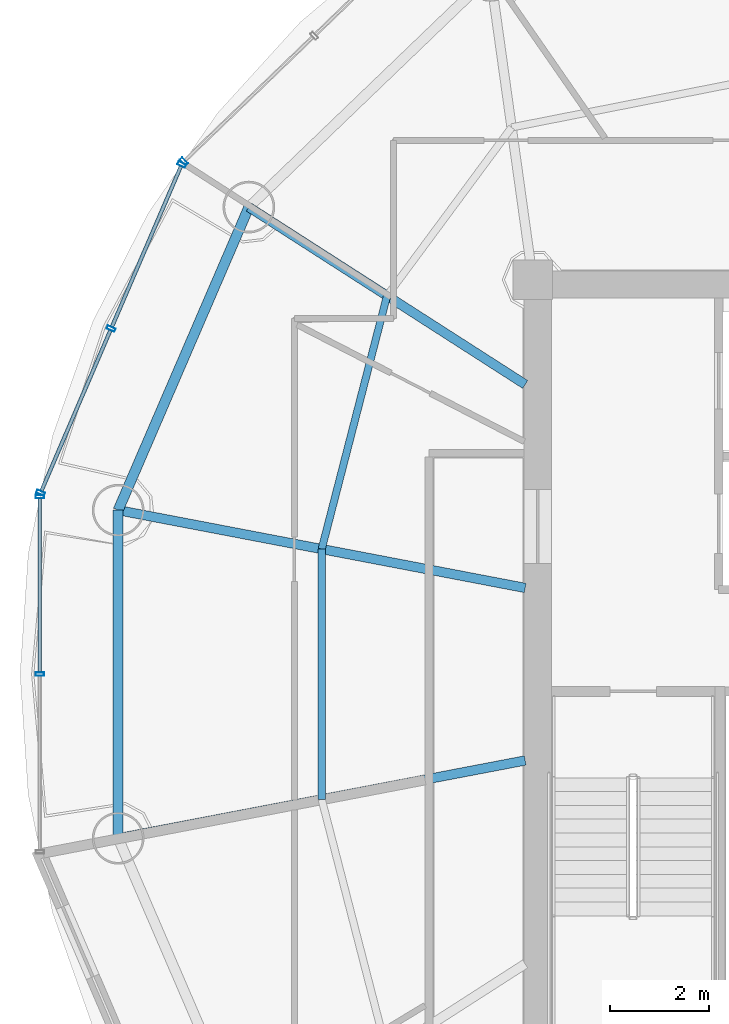
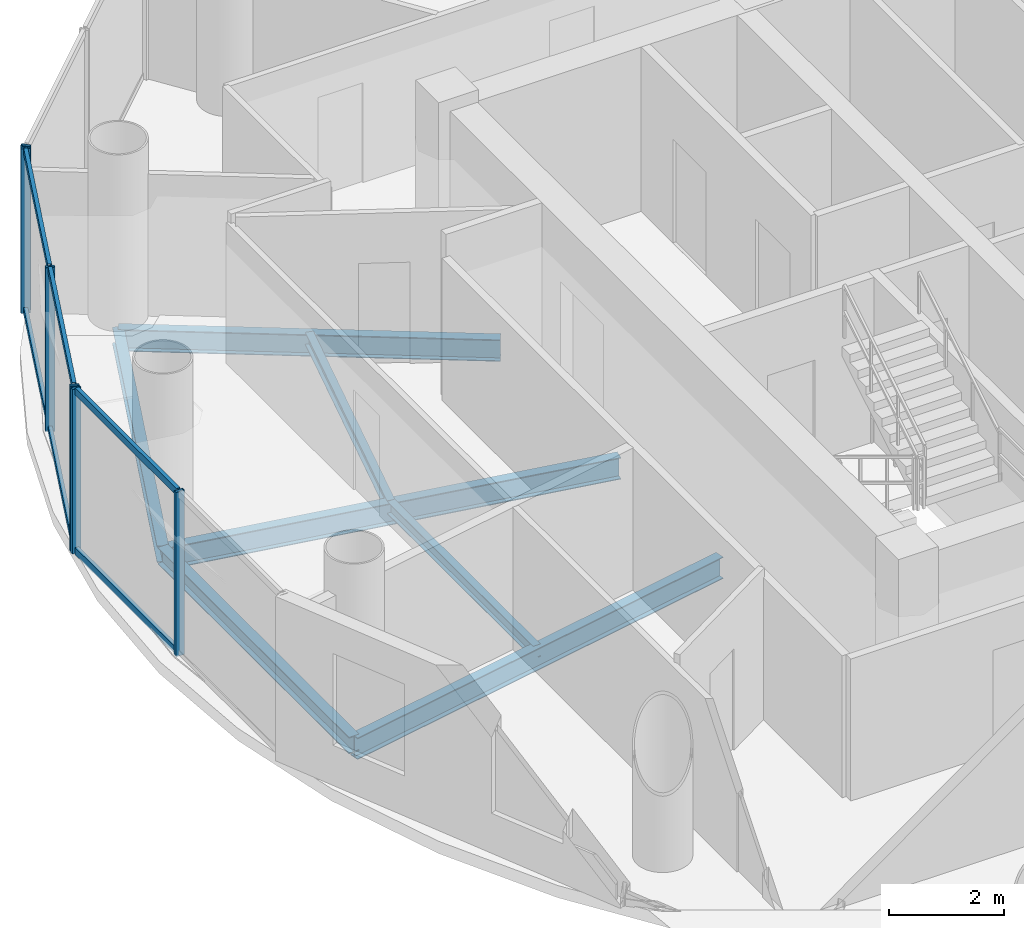
# One storey, part 8 of 23: 12 members, 7 beams, 3 elements without a shape of their own.
"""IFC4 building model written with IfcOpenShell, lengths in metres."""

from ifc_helpers import new_model, si_unit, direction, frame, origin, origin_2d, place, context, subcontext, project, spatial, hollow_rectangle, i_section, extrude, source, transform, mapped, material, material_profile, profile_set, type_object, element, aggregate, save


model = new_model("IFC4")

# Units and contexts
model_context = context("Model", 3, precision=1e-05, world=origin(), true_north=direction((-0.2419218956, 0.970295726276)))
body_context = subcontext(model_context, "Body", "Model", "MODEL_VIEW")
ifc_project = project(units=[si_unit("LENGTHUNIT", "METRE"), si_unit("AREAUNIT", "SQUARE_METRE"), si_unit("VOLUMEUNIT", "CUBIC_METRE"), si_unit("PLANEANGLEUNIT", "RADIAN"), si_unit("MASSUNIT", "GRAM", prefix="KILO")], contexts=[model_context])

# Site, building, storey
site_placement = place(None, origin())
site = spatial("IfcSite", under=ifc_project, at=site_placement, CompositionType="ELEMENT")
building_placement = place(site_placement, origin())
building = spatial("IfcBuilding", under=site, at=building_placement, Name="Cobrevalo Terracotta Tower", CompositionType="ELEMENT")
storey_placement = place(building_placement, frame((0.0, 0.0, 251.949951171875)))
storey = spatial("IfcBuildingStorey", under=building, at=storey_placement, Name="L66", CompositionType="ELEMENT", Elevation=251.949951171875)

# Beams
ifc_material_1 = material(Name="Steel S355", Category="steel")
ifc_material_profile_1 = material_profile(ifc_material_1, i_section(OverallWidth=0.19091796875, OverallDepth=0.4599609375, WebThickness=0.010009765625, FlangeThickness=0.01611328125, at=origin_2d()), Name="W 460x82")
ifc_profile_set_1 = profile_set([ifc_material_profile_1], Name="Steel S355")
beam_type_1 = type_object("IfcBeamType", Name="Structural Beam W 460x82 (Steel S355)", PredefinedType="BEAM", material=ifc_profile_set_1)
beam_1_placement = place(storey_placement, frame((23.241455078125, 36.2724609375, -0.489990234375), z_axis=(0.84157615512, -0.540138477739, 0.0), x_axis=(0.540138477739, 0.84157615512, 0.0)))
element("IfcBeam", 1, at=beam_1_placement, inside=storey, type_object=beam_type_1, Name="L66 radial floor girder 07", PredefinedType="BEAM", context=body_context, shape_type="SweptSolid", body=[
    extrude(i_section(OverallWidth=0.19091796875, OverallDepth=0.4599609375, WebThickness=0.010009765625, FlangeThickness=0.01611328125, at=origin_2d()), origin(), (0.0, 0.0, 1.0), 6.658447265625),
])
beam_2_placement = place(storey_placement, frame((20.591064453125, 30.126220703125, -0.489990234375), z_axis=(0.982234917636, -0.187655446433, 0.0), x_axis=(0.187655446433, 0.982234917636, 0.0)))
element("IfcBeam", 2, at=beam_2_placement, inside=storey, type_object=beam_type_1, Name="L66 radial floor girder 08", PredefinedType="BEAM", context=body_context, shape_type="SweptSolid", body=[
    extrude(i_section(OverallWidth=0.19091796875, OverallDepth=0.4599609375, WebThickness=0.010009765625, FlangeThickness=0.01611328125, at=origin_2d()), origin(), (0.0, 0.0, 1.0), 8.403076171875),
])
beam_3_placement = place(storey_placement, frame((20.591064453125, 23.4736328125, -0.489990234375), z_axis=(0.982229562106, 0.187683476432, 0.0), x_axis=(-0.187683476432, 0.982229562106, 0.0)))
element("IfcBeam", 3, at=beam_3_placement, inside=storey, type_object=beam_type_1, Name="L66 radial floor girder 09", PredefinedType="BEAM", context=body_context, shape_type="SweptSolid", body=[
    extrude(i_section(OverallWidth=0.19091796875, OverallDepth=0.4599609375, WebThickness=0.010009765625, FlangeThickness=0.01611328125, at=origin_2d()), origin(), (0.0, 0.0, 1.0), 8.4033203125),
])
ifc_material_profile_2 = material_profile(ifc_material_1, i_section(OverallWidth=0.14794921875, OverallDepth=0.26611328125, WebThickness=0.007568359375, FlangeThickness=0.012939453125, at=origin_2d()), Name="W 250x44.8")
ifc_profile_set_2 = profile_set([ifc_material_profile_2], Name="Steel S355")
beam_type_2 = type_object("IfcBeamType", Name="Structural Joist W 250x44.8 (Steel S355)", PredefinedType="JOIST", material=ifc_profile_set_2)
beam_4_placement = place(storey_placement, frame((26.043212890625, 34.47412109375, -0.39306640625), z_axis=(-0.249816773293, -0.968293126993, 0.0), x_axis=(0.968293126993, -0.249816773293, 0.0)))
element("IfcBeam", 4, at=beam_4_placement, inside=storey, type_object=beam_type_2, Name="L66 circumferential secondary floor joist 07", PredefinedType="JOIST", context=body_context, shape_type="SweptSolid", body=[
    extrude(i_section(OverallWidth=0.14794921875, OverallDepth=0.26611328125, WebThickness=0.007568359375, FlangeThickness=0.012939453125, at=origin_2d()), origin(), (0.0, 0.0, 1.0), 5.3046875),
])
beam_5_placement = place(storey_placement, frame((24.718017578125, 29.337646484375, -0.39306640625), z_axis=(0.0, -1.0, 0.0), x_axis=(1.0, 0.0, 0.0)))
element("IfcBeam", 5, at=beam_5_placement, inside=storey, type_object=beam_type_2, Name="L66 circumferential secondary floor joist 08", PredefinedType="JOIST", context=body_context, shape_type="SweptSolid", body=[
    extrude(i_section(OverallWidth=0.14794921875, OverallDepth=0.26611328125, WebThickness=0.007568359375, FlangeThickness=0.012939453125, at=origin_2d()), origin(), (0.0, 0.0, 1.0), 5.075439453125),
])
ifc_material_profile_3 = material_profile(ifc_material_1, i_section(OverallWidth=0.205078125, OverallDepth=0.35400390625, WebThickness=0.009521484375, FlangeThickness=0.016845703125, at=origin_2d()), Name="W 360x79")
ifc_profile_set_3 = profile_set([ifc_material_profile_3], Name="Steel S355")
beam_type_3 = type_object("IfcBeamType", Name="Structural Spandrel W 360x79 (Steel S355)", PredefinedType="SPANDREL", material=ifc_profile_set_3)
beam_6_placement = place(storey_placement, frame((23.241455078125, 36.2724609375, -0.43701171875), z_axis=(-0.395974127655, -0.918261667624, 0.0), x_axis=(0.918261667624, -0.395974127655, 0.0)))
element("IfcBeam", 6, at=beam_6_placement, inside=storey, type_object=beam_type_3, Name="L66 perimeter ring spandrel 07", PredefinedType="SPANDREL", context=body_context, shape_type="SweptSolid", body=[
    extrude(i_section(OverallWidth=0.205078125, OverallDepth=0.35400390625, WebThickness=0.009521484375, FlangeThickness=0.016845703125, at=origin_2d()), origin(), (0.0, 0.0, 1.0), 6.693359375),
])
beam_7_placement = place(storey_placement, frame((20.591064453125, 30.126220703125, -0.43701171875), z_axis=(0.0, -1.0, 0.0), x_axis=(1.0, 0.0, 0.0)))
element("IfcBeam", 7, at=beam_7_placement, inside=storey, type_object=beam_type_3, Name="L66 perimeter ring spandrel 08", PredefinedType="SPANDREL", context=body_context, shape_type="SweptSolid", body=[
    extrude(i_section(OverallWidth=0.205078125, OverallDepth=0.35400390625, WebThickness=0.009521484375, FlangeThickness=0.016845703125, at=origin_2d()), origin(), (0.0, 0.0, 1.0), 6.652587890625),
])

# Curtain wall, member
ifc_material_2 = material(Name="Anodized aluminium", Category="aluminium")
curtain_wall_type = type_object("IfcCurtainWallType", Name="Upper-tower triple-glazed penthouse curtain wall CW-U3", PredefinedType="NOTDEFINED", material=ifc_material_2)
curtain_wall_1_placement = place(storey_placement, origin())
curtain_wall_1 = element("IfcCurtainWall", 8, at=curtain_wall_1_placement, inside=storey, type_object=curtain_wall_type, Name="L66 curtain wall CW-L66-S06", PredefinedType="NOTDEFINED")
ifc_material_profile_4 = material_profile(ifc_material_2, hollow_rectangle(XDim=0.070068359375, YDim=0.169921875, WallThickness=0.00439453125, at=origin_2d()), Name="CWM 70x170")
ifc_profile_set_4 = profile_set([ifc_material_profile_4], Name="Anodized aluminium")
member_type_1 = type_object("IfcMemberType", Name="Upper tower unitised mullion 70x170", PredefinedType="MULLION", material=ifc_profile_set_4)
shared_shape_1 = source(origin(), body_context, "Body", "SweptSolid", [
    extrude(hollow_rectangle(XDim=0.070068359375, YDim=0.169921875, WallThickness=0.00439453125, at=origin_2d()), origin(), (0.0, 0.0, 1.0), 3.489990234375),
])
member_1_placement = place(storey_placement, frame((21.92333984375, 37.2001953125, 0.0), z_axis=(0.0, 0.0, 1.0), x_axis=(-0.71999418085, -0.69398010025, 0.0)))
member_1 = element("IfcMember", 9, at=member_1_placement, type_object=member_type_1, Name="CW-L66-S06 vertical mullion 03", PredefinedType="MULLION", context=body_context, shape_type="MappedRepresentation", body=[
    mapped(shared_shape_1, transform((0.0, 0.0, 0.0), scale=1.0)),
])
aggregate(curtain_wall_1, [member_1])

# Curtain wall, members
curtain_wall_2_placement = place(storey_placement, origin())
curtain_wall_2 = element("IfcCurtainWall", 10, at=curtain_wall_2_placement, inside=storey, type_object=curtain_wall_type, Name="L66 curtain wall CW-L66-S07", PredefinedType="NOTDEFINED")
member_2_placement = place(storey_placement, frame((21.878662109375, 37.1357421875, 0.0), z_axis=(0.0, 0.0, 1.0), x_axis=(-0.39482403454, -0.91875675875, 0.0)))
member_2 = element("IfcMember", 11, at=member_2_placement, type_object=member_type_1, Name="CW-L66-S07 vertical mullion 01", PredefinedType="MULLION", context=body_context, shape_type="MappedRepresentation", body=[
    mapped(shared_shape_1, transform((0.0, 0.0, 0.0), scale=1.0)),
])
member_3_placement = place(storey_placement, frame((20.4482421875, 33.807373046875, 0.0), z_axis=(0.0, 0.0, 1.0), x_axis=(-0.39482403454, -0.91875675875, 0.0)))
member_3 = element("IfcMember", 12, at=member_3_placement, type_object=member_type_1, Name="CW-L66-S07 vertical mullion 02", PredefinedType="MULLION", context=body_context, shape_type="MappedRepresentation", body=[
    mapped(shared_shape_1, transform((0.0, 0.0, 0.0), scale=1.0)),
])
member_4_placement = place(storey_placement, frame((19.01806640625, 30.47900390625, 0.0), z_axis=(0.0, 0.0, 1.0), x_axis=(-0.39482403454, -0.91875675875, 0.0)))
member_4 = element("IfcMember", 13, at=member_4_placement, type_object=member_type_1, Name="CW-L66-S07 vertical mullion 03", PredefinedType="MULLION", context=body_context, shape_type="MappedRepresentation", body=[
    mapped(shared_shape_1, transform((0.0, 0.0, 0.0), scale=1.0)),
])

curtain_wall_3_placement = place(storey_placement, origin())
curtain_wall_3 = element("IfcCurtainWall", 14, at=curtain_wall_3_placement, inside=storey, type_object=curtain_wall_type, Name="L66 curtain wall CW-L66-S08", PredefinedType="NOTDEFINED")
member_5_placement = place(storey_placement, frame((19.002197265625, 30.40234375, 0.0), z_axis=(0.0, 0.0, 1.0), x_axis=(0.0, -1.0, 0.0)))
member_5 = element("IfcMember", 15, at=member_5_placement, type_object=member_type_1, Name="CW-L66-S08 vertical mullion 01", PredefinedType="MULLION", context=body_context, shape_type="MappedRepresentation", body=[
    mapped(shared_shape_1, transform((0.0, 0.0, 0.0), scale=1.0)),
])
member_6_placement = place(storey_placement, frame((19.002197265625, 26.800048828125, 0.0), z_axis=(0.0, 0.0, 1.0), x_axis=(0.0, -1.0, 0.0)))
member_6 = element("IfcMember", 16, at=member_6_placement, type_object=member_type_1, Name="CW-L66-S08 vertical mullion 02", PredefinedType="MULLION", context=body_context, shape_type="MappedRepresentation", body=[
    mapped(shared_shape_1, transform((0.0, 0.0, 0.0), scale=1.0)),
])

# Member
ifc_material_profile_5 = material_profile(ifc_material_2, hollow_rectangle(XDim=0.074951171875, YDim=0.14990234375, WallThickness=0.00439453125, at=origin_2d()), Name="CWT 75x150")
ifc_profile_set_5 = profile_set([ifc_material_profile_5], Name="Anodized aluminium")
member_type_2 = type_object("IfcMemberType", Name="Tower unitised aluminium transom 75x150", PredefinedType="USERDEFINED", material=ifc_profile_set_5)
shared_shape_2 = source(origin(), body_context, "Body", "SweptSolid", [
    extrude(hollow_rectangle(XDim=0.074951171875, YDim=0.14990234375, WallThickness=0.00439453125, at=origin_2d()), origin(), (0.0, 0.0, 1.0), 3.54248046875),
])
member_7_placement = place(storey_placement, frame((21.86279296875, 37.098876953125, 0.050048828125), z_axis=(-0.394834055841, -0.918752452159, 0.0), x_axis=(0.918752452159, -0.394834055841, 0.0)))
member_7 = element("IfcMember", 17, at=member_7_placement, type_object=member_type_2, Name="CW-L66-S07 transom B01-T1", ObjectType="TRANSOM", PredefinedType="USERDEFINED", context=body_context, shape_type="MappedRepresentation", body=[
    mapped(shared_shape_2, transform((0.0, 0.0, 0.0), scale=1.0)),
])

member_8_placement = place(storey_placement, frame((21.86279296875, 37.098876953125, 3.43994140625), z_axis=(-0.394834055841, -0.918752452159, 0.0), x_axis=(0.918752452159, -0.394834055841, 0.0)))
member_8 = element("IfcMember", 18, at=member_8_placement, type_object=member_type_2, Name="CW-L66-S07 transom B01-T2", ObjectType="TRANSOM", PredefinedType="USERDEFINED", context=body_context, shape_type="MappedRepresentation", body=[
    mapped(shared_shape_2, transform((0.0, 0.0, 0.0), scale=1.0)),
])

shared_shape_3 = source(origin(), body_context, "Body", "SweptSolid", [
    extrude(hollow_rectangle(XDim=0.074951171875, YDim=0.14990234375, WallThickness=0.00439453125, at=origin_2d()), origin(), (0.0, 0.0, 1.0), 3.542724609375),
])
member_9_placement = place(storey_placement, frame((20.4326171875, 33.770751953125, 0.050048828125), z_axis=(-0.394867226589, -0.918738196314, 0.0), x_axis=(0.918738196314, -0.394867226589, 0.0)))
member_9 = element("IfcMember", 19, at=member_9_placement, type_object=member_type_2, Name="CW-L66-S07 transom B02-T1", ObjectType="TRANSOM", PredefinedType="USERDEFINED", context=body_context, shape_type="MappedRepresentation", body=[
    mapped(shared_shape_3, transform((0.0, 0.0, 0.0), scale=1.0)),
])

member_10_placement = place(storey_placement, frame((20.4326171875, 33.770751953125, 3.43994140625), z_axis=(-0.394867226589, -0.918738196314, 0.0), x_axis=(0.918738196314, -0.394867226589, 0.0)))
member_10 = element("IfcMember", 20, at=member_10_placement, type_object=member_type_2, Name="CW-L66-S07 transom B02-T2", ObjectType="TRANSOM", PredefinedType="USERDEFINED", context=body_context, shape_type="MappedRepresentation", body=[
    mapped(shared_shape_3, transform((0.0, 0.0, 0.0), scale=1.0)),
])

aggregate(curtain_wall_2, [member_2, member_3, member_4, member_7, member_8, member_9, member_10])

shared_shape_4 = source(origin(), body_context, "Body", "SweptSolid", [
    extrude(hollow_rectangle(XDim=0.074951171875, YDim=0.14990234375, WallThickness=0.00439453125, at=origin_2d()), origin(), (0.0, 0.0, 1.0), 3.522216796875),
])
member_11_placement = place(storey_placement, frame((19.002197265625, 30.3623046875, 0.050048828125), z_axis=(0.0, -1.0, 0.0), x_axis=(1.0, 0.0, 0.0)))
member_11 = element("IfcMember", 21, at=member_11_placement, type_object=member_type_2, Name="CW-L66-S08 transom B01-T1", ObjectType="TRANSOM", PredefinedType="USERDEFINED", context=body_context, shape_type="MappedRepresentation", body=[
    mapped(shared_shape_4, transform((0.0, 0.0, 0.0), scale=1.0)),
])

member_12_placement = place(storey_placement, frame((19.002197265625, 30.3623046875, 3.43994140625), z_axis=(0.0, -1.0, 0.0), x_axis=(1.0, 0.0, 0.0)))
member_12 = element("IfcMember", 22, at=member_12_placement, type_object=member_type_2, Name="CW-L66-S08 transom B01-T2", ObjectType="TRANSOM", PredefinedType="USERDEFINED", context=body_context, shape_type="MappedRepresentation", body=[
    mapped(shared_shape_4, transform((0.0, 0.0, 0.0), scale=1.0)),
])

aggregate(curtain_wall_3, [member_5, member_6, member_11, member_12])

save(model, "model.ifc")
